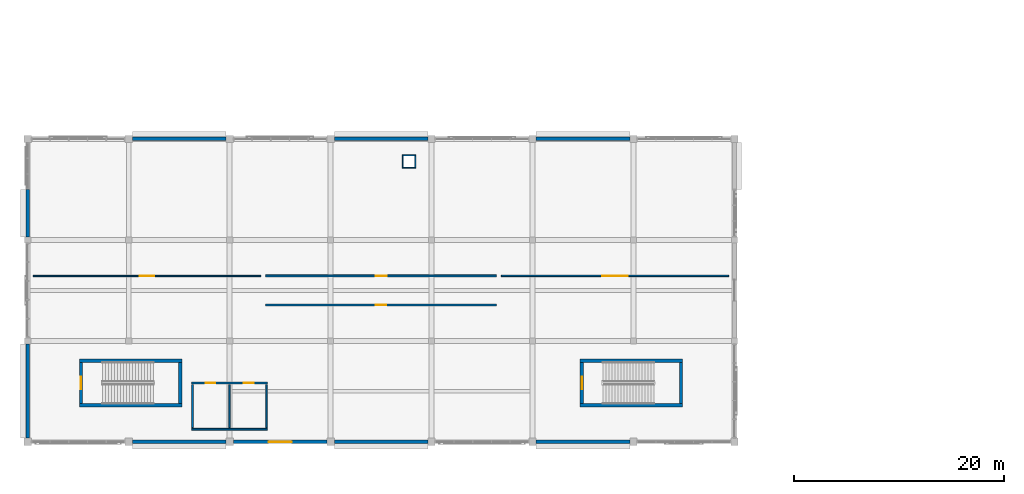
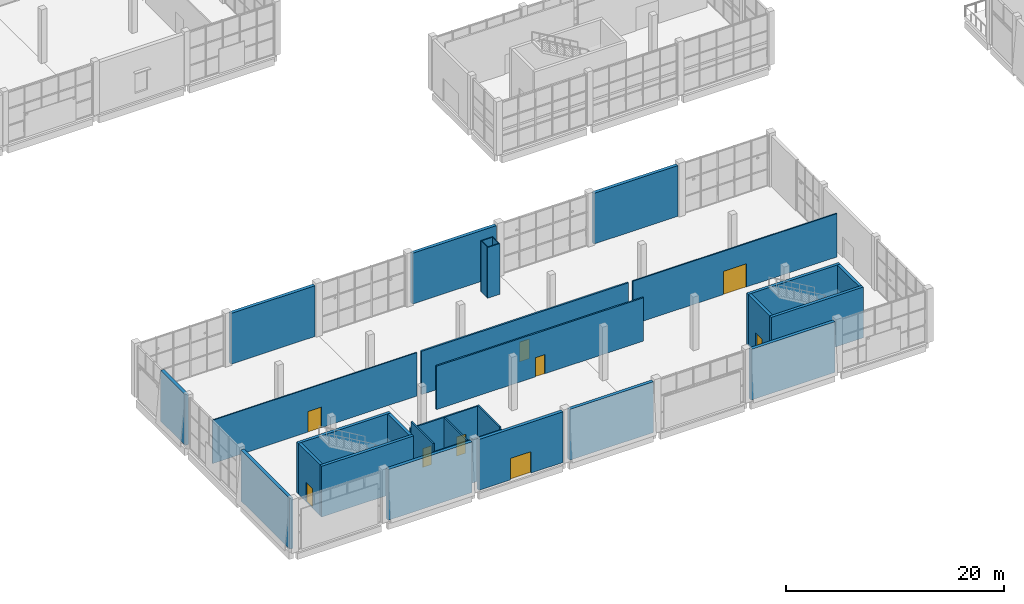
# One storey, part 53 of 84: 30 walls, 9 doors, 9 openings.
"""IFC4 building model written with IfcOpenShell, lengths in metres."""

from ifc_helpers import new_model, si_unit, direction, frame, frame_2d, origin, place, context, subcontext, project, spatial, rectangle, extrude, material, layer, layer_set, type_object, element, fill, save


model = new_model("IFC4")

# Units and contexts
model_context = context("Model", 3, precision=1e-05, world=origin(), true_north=direction((0.0, 1.0)))
body_context = subcontext(model_context, "Body", "Model", "MODEL_VIEW")
ifc_project = project(units=[si_unit("LENGTHUNIT", "METRE"), si_unit("AREAUNIT", "SQUARE_METRE"), si_unit("VOLUMEUNIT", "CUBIC_METRE"), si_unit("PLANEANGLEUNIT", "RADIAN"), si_unit("MASSUNIT", "GRAM", prefix="KILO")], contexts=[model_context])

# Site, building, storey
site_placement = place(None, origin())
site = spatial("IfcSite", under=ifc_project, at=site_placement, CompositionType="ELEMENT")
building_placement = place(site_placement, origin())
building = spatial("IfcBuilding", under=site, at=building_placement, Name="Shalvenor Court Art Gallery", CompositionType="ELEMENT")
storey_placement = place(building_placement, origin())
storey = spatial("IfcBuildingStorey", under=building, at=storey_placement, Name="L00", CompositionType="ELEMENT", Elevation=0.0)

# Walls
ifc_material_1 = material(Name="Concrete C40/50", Category="concrete")
ifc_layer_1 = layer(ifc_material_1, 0.31005859375, Name="Concrete C40/50")
ifc_layer_set_1 = layer_set([ifc_layer_1], Name="Concrete C40/50")
wall_type_1 = type_object("IfcWallType", Name="CW-W2", PredefinedType="SHEAR", material=ifc_layer_set_1)
wall_1_placement = place(storey_placement, frame((4.927978515625, 7.717041015625, 0.0), z_axis=(0.0, 0.0, 1.0), x_axis=(1.0, 0.0, 0.0)))
element("IfcWall", 1, at=wall_1_placement, inside=storey, type_object=wall_type_1, Name="L00 C7 Stair Core Shear Wall N", PredefinedType="SHEAR", context=body_context, shape_type="SweptSolid", body=[
    extrude(rectangle(XDim=9.744140625, YDim=0.31005859375, at=frame_2d((4.8720703125, 0.0))), origin(), (0.0, 0.0, 1.0), 5.679931640625),
])
wall_2_placement = place(storey_placement, frame((14.51708984375, 7.56201171875, 0.0), z_axis=(0.0, 0.0, 1.0), x_axis=(0.0, -1.0, 0.0)))
element("IfcWall", 2, at=wall_2_placement, inside=storey, type_object=wall_type_1, Name="L00 C7 Stair Core Shear Wall E", PredefinedType="SHEAR", context=body_context, shape_type="SweptSolid", body=[
    extrude(rectangle(XDim=3.924072265625, YDim=0.31005859375, at=frame_2d((1.9619140625, 0.0))), origin(), (0.0, 0.0, 1.0), 5.679931640625),
])
wall_3_placement = place(storey_placement, frame((14.672119140625, 3.48291015625, 0.0), z_axis=(0.0, 0.0, 1.0), x_axis=(-1.0, 0.0, 0.0)))
element("IfcWall", 3, at=wall_3_placement, inside=storey, type_object=wall_type_1, Name="L00 C7 Stair Core Shear Wall S", PredefinedType="SHEAR", context=body_context, shape_type="SweptSolid", body=[
    extrude(rectangle(XDim=9.744140625, YDim=0.31005859375, at=frame_2d((4.8720703125, 0.0))), origin(), (0.0, 0.0, 1.0), 5.679931640625),
])

# Wall, opening, door
wall_4_placement = place(storey_placement, frame((5.0830078125, 3.637939453125, 0.0), z_axis=(0.0, 0.0, 1.0), x_axis=(0.0, 1.0, 0.0)))
wall_4 = element("IfcWall", 4, at=wall_4_placement, inside=storey, type_object=wall_type_1, Name="L00 C7 Stair Core Shear Wall W", PredefinedType="SHEAR", context=body_context, shape_type="SweptSolid", body=[
    extrude(rectangle(XDim=3.924072265625, YDim=0.31005859375, at=frame_2d((1.9619140625, 0.0))), origin(), (0.0, 0.0, 1.0), 5.679931640625),
])
opening_1_placement = place(wall_4_placement, frame((1.362060546875, 0.0, 0.0)))
opening_1 = element("IfcOpeningElement", 5, at=opening_1_placement, cuts=wall_4, Name="Opening FD-01", PredefinedType="OPENING", context=body_context, shape_type="SweptSolid", body=[
    extrude(rectangle(XDim=1.199951171875, YDim=2.199951171875, at=frame_2d((0.60009765625, 1.10009765625))), frame((0.0, 0.1650390625, 0.0), z_axis=(0.0, -1.0, 0.0), x_axis=(1.0, 0.0, 0.0)), (0.0, 0.0, 1.0), 0.330078125),
])
ifc_material_2 = material(Name="Fire-rated steel stair doorset", Category="steel")
door_type_1 = type_object("IfcDoorType", Name="FD-01", OperationType="NOTDEFINED", PredefinedType="DOOR", material=ifc_material_2)
door_1_placement = place(opening_1_placement, origin())
door_1 = element("IfcDoor", 6, at=door_1_placement, inside=storey, type_object=door_type_1, Name="DR-ST-L00-C7 L00 ST-07 Fire Stair Door", OperationType="SINGLE_SWING_LEFT", OverallHeight=2.199951171875, OverallWidth=1.199951171875, PredefinedType="DOOR", context=body_context, shape_type="SweptSolid", body=[
    extrude(rectangle(XDim=1.199951171875, YDim=2.199951171875, at=frame_2d((0.60009765625, 1.10009765625))), frame((0.0, 0.02490234375, 0.0), z_axis=(0.0, -1.0, 0.0), x_axis=(1.0, 0.0, 0.0)), (0.0, 0.0, 1.0), 0.050048828125),
])
fill(opening_1, door_1)

# Walls
wall_5_placement = place(storey_placement, frame((52.528076171875, 7.717041015625, 0.0), z_axis=(0.0, 0.0, 1.0), x_axis=(1.0, 0.0, 0.0)))
element("IfcWall", 7, at=wall_5_placement, inside=storey, type_object=wall_type_1, Name="L00 C8 Stair Core Shear Wall N", PredefinedType="SHEAR", context=body_context, shape_type="SweptSolid", body=[
    extrude(rectangle(XDim=9.743896484375, YDim=0.31005859375, at=frame_2d((4.8720703125, 0.0))), origin(), (0.0, 0.0, 1.0), 5.679931640625),
])
wall_6_placement = place(storey_placement, frame((62.116943359375, 7.56201171875, 0.0), z_axis=(0.0, 0.0, 1.0), x_axis=(0.0, -1.0, 0.0)))
element("IfcWall", 8, at=wall_6_placement, inside=storey, type_object=wall_type_1, Name="L00 C8 Stair Core Shear Wall E", PredefinedType="SHEAR", context=body_context, shape_type="SweptSolid", body=[
    extrude(rectangle(XDim=3.924072265625, YDim=0.31005859375, at=frame_2d((1.9619140625, 0.0))), origin(), (0.0, 0.0, 1.0), 5.679931640625),
])
wall_7_placement = place(storey_placement, frame((62.27197265625, 3.48291015625, 0.0), z_axis=(0.0, 0.0, 1.0), x_axis=(-1.0, 0.0, 0.0)))
element("IfcWall", 9, at=wall_7_placement, inside=storey, type_object=wall_type_1, Name="L00 C8 Stair Core Shear Wall S", PredefinedType="SHEAR", context=body_context, shape_type="SweptSolid", body=[
    extrude(rectangle(XDim=9.743896484375, YDim=0.31005859375, at=frame_2d((4.8720703125, 0.0))), origin(), (0.0, 0.0, 1.0), 5.679931640625),
])

# Wall, opening, door
wall_8_placement = place(storey_placement, frame((52.68310546875, 3.637939453125, 0.0), z_axis=(0.0, 0.0, 1.0), x_axis=(0.0, 1.0, 0.0)))
wall_8 = element("IfcWall", 10, at=wall_8_placement, inside=storey, type_object=wall_type_1, Name="L00 C8 Stair Core Shear Wall W", PredefinedType="SHEAR", context=body_context, shape_type="SweptSolid", body=[
    extrude(rectangle(XDim=3.924072265625, YDim=0.31005859375, at=frame_2d((1.9619140625, 0.0))), origin(), (0.0, 0.0, 1.0), 5.679931640625),
])
opening_2_placement = place(wall_8_placement, frame((1.362060546875, 0.0, 0.0)))
opening_2 = element("IfcOpeningElement", 11, at=opening_2_placement, cuts=wall_8, Name="Opening FD-01", PredefinedType="OPENING", context=body_context, shape_type="SweptSolid", body=[
    extrude(rectangle(XDim=1.199951171875, YDim=2.199951171875, at=frame_2d((0.60009765625, 1.10009765625))), frame((0.0, 0.1650390625, 0.0), z_axis=(0.0, -1.0, 0.0), x_axis=(1.0, 0.0, 0.0)), (0.0, 0.0, 1.0), 0.330078125),
])
door_2_placement = place(opening_2_placement, origin())
door_2 = element("IfcDoor", 12, at=door_2_placement, inside=storey, type_object=door_type_1, Name="DR-ST-L00-C8 L00 ST-08 Fire Stair Door", OperationType="SINGLE_SWING_LEFT", OverallHeight=2.199951171875, OverallWidth=1.199951171875, PredefinedType="DOOR", context=body_context, shape_type="SweptSolid", body=[
    extrude(rectangle(XDim=1.199951171875, YDim=2.199951171875, at=frame_2d((0.60009765625, 1.10009765625))), frame((0.0, 0.02490234375, 0.0), z_axis=(0.0, -1.0, 0.0), x_axis=(1.0, 0.0, 0.0)), (0.0, 0.0, 1.0), 0.050048828125),
])
fill(opening_2, door_2)

# Walls
ifc_material_3 = material(Name="Concrete C40/50", Category="concrete")
ifc_layer_2 = layer(ifc_material_3, 0.340087890625, Name="Concrete C40/50")
ifc_layer_set_2 = layer_set([ifc_layer_2], Name="Concrete C40/50")
wall_type_2 = type_object("IfcWallType", Name="EW-04", PredefinedType="SOLIDWALL", material=ifc_layer_set_2)
for number, where, z_axis, x_axis, name in (
    (13, (9.949951171875, 28.800048828125, 0.0), (0.0, 0.0, 1.0), (1.0, 0.0, 0.0), "L00 V4 Exterior Wall WL-L00-0239"),
    (14, (29.14990234375, 28.800048828125, 0.0), (0.0, 0.0, 1.0), (1.0, 0.0, 0.0), "L00 V4 Exterior Wall WL-L00-0240"),
):
    element("IfcWall", number, at=place(storey_placement, frame(where, z_axis=z_axis, x_axis=x_axis)), inside=storey, type_object=wall_type_2, Name=name, PredefinedType="SOLIDWALL", context=body_context, shape_type="SweptSolid", body=[
        extrude(rectangle(XDim=8.900146484375, YDim=0.340087890625, at=frame_2d((4.4501953125, 0.0))), origin(), (0.0, 0.0, 1.0), 5.679931640625),
    ])
for number, where, z_axis, x_axis, name in (
    (15, (48.35009765625, 28.800048828125, 0.0), (0.0, 0.0, 1.0), (1.0, 0.0, 0.0), "L00 V4 Exterior Wall WL-L00-0241"),
    (16, (57.25, 0.0, 0.0), (0.0, 0.0, 1.0), (-1.0, 0.0, 0.0), "L00 V4 Exterior Wall WL-L00-0244"),
):
    element("IfcWall", number, at=place(storey_placement, frame(where, z_axis=z_axis, x_axis=x_axis)), inside=storey, type_object=wall_type_2, Name=name, PredefinedType="SOLIDWALL", context=body_context, shape_type="SweptSolid", body=[
        extrude(rectangle(XDim=8.89990234375, YDim=0.340087890625, at=frame_2d((4.449951171875, 0.0))), origin(), (0.0, 0.0, 1.0), 5.679931640625),
    ])
wall_9_placement = place(storey_placement, frame((38.050048828125, 0.0, 0.0), z_axis=(0.0, 0.0, 1.0), x_axis=(-1.0, 0.0, 0.0)))
element("IfcWall", 17, at=wall_9_placement, inside=storey, type_object=wall_type_2, Name="L00 V4 Exterior Wall WL-L00-0245", PredefinedType="SOLIDWALL", context=body_context, shape_type="SweptSolid", body=[
    extrude(rectangle(XDim=8.900146484375, YDim=0.340087890625, at=frame_2d((4.4501953125, 0.0))), origin(), (0.0, 0.0, 1.0), 5.679931640625),
])

# Wall, opening, door
wall_10_placement = place(storey_placement, frame((28.449951171875, 0.0, 0.0), z_axis=(0.0, 0.0, 1.0), x_axis=(-1.0, 0.0, 0.0)))
wall_10 = element("IfcWall", 18, at=wall_10_placement, inside=storey, type_object=wall_type_2, Name="L00 V4 Exterior Wall WL-L00-0246", PredefinedType="SOLIDWALL", context=body_context, shape_type="SweptSolid", body=[
    extrude(rectangle(XDim=8.89990234375, YDim=0.340087890625, at=frame_2d((4.449951171875, 0.0))), origin(), (0.0, 0.0, 1.0), 5.679931640625),
])
opening_3_placement = place(wall_10_placement, frame((3.35009765625, 0.0, 0.0)))
opening_3 = element("IfcOpeningElement", 19, at=opening_3_placement, cuts=wall_10, Name="Opening ED-04", PredefinedType="OPENING", context=body_context, shape_type="SweptSolid", body=[
    extrude(rectangle(XDim=2.199951171875, YDim=2.39990234375, at=frame_2d((1.10009765625, 1.199951171875))), frame((0.0, 0.179931640625, 0.0), z_axis=(0.0, -1.0, 0.0), x_axis=(1.0, 0.0, 0.0)), (0.0, 0.0, 1.0), 0.360107421875),
])
ifc_material_4 = material(Name="Anodised bronze glazed exit doorset", Category="aluminium")
door_type_2 = type_object("IfcDoorType", Name="ED-04", OperationType="NOTDEFINED", PredefinedType="DOOR", material=ifc_material_4)
door_3_placement = place(opening_3_placement, origin())
door_3 = element("IfcDoor", 20, at=door_3_placement, inside=storey, type_object=door_type_2, Name="DR-EX-19 L00 Pedestrian Final Exit Door", OperationType="DOUBLE_DOOR_SINGLE_SWING", OverallHeight=2.39990234375, OverallWidth=2.199951171875, PredefinedType="DOOR", context=body_context, shape_type="SweptSolid", body=[
    extrude(rectangle(XDim=2.199951171875, YDim=2.39990234375, at=frame_2d((1.10009765625, 1.199951171875))), frame((0.0, 0.02490234375, 0.0), z_axis=(0.0, -1.0, 0.0), x_axis=(1.0, 0.0, 0.0)), (0.0, 0.0, 1.0), 0.050048828125),
])
fill(opening_3, door_3)

# Walls
wall_11_placement = place(storey_placement, frame((18.85009765625, 0.0, 0.0), z_axis=(0.0, 0.0, 1.0), x_axis=(-1.0, 0.0, 0.0)))
element("IfcWall", 21, at=wall_11_placement, inside=storey, type_object=wall_type_2, Name="L00 V4 Exterior Wall WL-L00-0247", PredefinedType="SOLIDWALL", context=body_context, shape_type="SweptSolid", body=[
    extrude(rectangle(XDim=8.900146484375, YDim=0.340087890625, at=frame_2d((4.4501953125, 0.0))), origin(), (0.0, 0.0, 1.0), 5.679931640625),
])
wall_12_placement = place(storey_placement, frame((0.0, 0.35009765625, 0.0), z_axis=(0.0, 0.0, 1.0), x_axis=(0.0, 1.0, 0.0)))
element("IfcWall", 22, at=wall_12_placement, inside=storey, type_object=wall_type_2, Name="L00 V4 Exterior Wall WL-L00-0248", PredefinedType="SOLIDWALL", context=body_context, shape_type="SweptSolid", body=[
    extrude(rectangle(XDim=8.949951171875, YDim=0.340087890625, at=frame_2d((4.47509765625, 0.0))), origin(), (0.0, 0.0, 1.0), 5.679931640625),
])
wall_13_placement = place(storey_placement, frame((0.0, 19.5, 0.0), z_axis=(0.0, 0.0, 1.0), x_axis=(0.0, 1.0, 0.0)))
element("IfcWall", 23, at=wall_13_placement, inside=storey, type_object=wall_type_2, Name="L00 V4 Exterior Wall WL-L00-0249", PredefinedType="SOLIDWALL", context=body_context, shape_type="SweptSolid", body=[
    extrude(rectangle(XDim=4.5, YDim=0.340087890625, at=frame_2d((2.25, 0.0))), origin(), (0.0, 0.0, 1.0), 5.679931640625),
])

# Wall, opening, door
ifc_material_5 = material(Name="Plywood-backed acoustic art-hanging partition", Category="wood")
ifc_layer_3 = layer(ifc_material_5, 0.179931640625, Name="Plywood-backed acoustic art-hanging partition")
ifc_layer_set_3 = layer_set([ifc_layer_3], Name="Plywood-backed acoustic art-hanging partition")
wall_type_3 = type_object("IfcWallType", Name="PT-01", PredefinedType="PARTITIONING", material=ifc_layer_set_3)
wall_14_placement = place(storey_placement, frame((44.570068359375, 15.780029296875, 0.0), z_axis=(0.0, 0.0, 1.0), x_axis=(-1.0, 0.0, 0.0)))
wall_14 = element("IfcWall", 24, at=wall_14_placement, inside=storey, type_object=wall_type_3, Name="L00 Temporary Exhibition Pavilion Partition 609", PredefinedType="PARTITIONING", context=body_context, shape_type="SweptSolid", body=[
    extrude(rectangle(XDim=21.940185546875, YDim=0.179931640625, at=frame_2d((10.97021484375, 0.0))), origin(), (0.0, 0.0, 1.0), 4.85498046875),
])
opening_4_placement = place(wall_14_placement, frame((10.445068359375, 0.0, 0.0)))
opening_4 = element("IfcOpeningElement", 25, at=opening_4_placement, cuts=wall_14, Name="Opening ID-04", PredefinedType="OPENING", context=body_context, shape_type="SweptSolid", body=[
    extrude(rectangle(XDim=1.050048828125, YDim=2.199951171875, at=frame_2d((0.52490234375, 1.10009765625))), frame((0.0, 0.099853515625, 0.0), z_axis=(0.0, -1.0, 0.0), x_axis=(1.0, 0.0, 0.0)), (0.0, 0.0, 1.0), 0.199951171875),
])
ifc_material_6 = material(Name="Oak-veneered accessible room doorset", Category="wood")
door_type_3 = type_object("IfcDoorType", Name="ID-04", OperationType="NOTDEFINED", PredefinedType="DOOR", material=ifc_material_6)
door_4_placement = place(opening_4_placement, origin())
door_4 = element("IfcDoor", 26, at=door_4_placement, inside=storey, type_object=door_type_3, Name="DR-RM-L00-0140 L00 Temporary Exhibition Pavilion Door", OperationType="SINGLE_SWING_RIGHT", OverallHeight=2.199951171875, OverallWidth=1.050048828125, PredefinedType="DOOR", context=body_context, shape_type="SweptSolid", body=[
    extrude(rectangle(XDim=1.050048828125, YDim=2.199951171875, at=frame_2d((0.52490234375, 1.10009765625))), frame((0.0, 0.02490234375, 0.0), z_axis=(0.0, -1.0, 0.0), x_axis=(1.0, 0.0, 0.0)), (0.0, 0.0, 1.0), 0.050048828125),
])
fill(opening_4, door_4)

ifc_material_7 = material(Name="Double-stud acoustic gallery partition", Category="other")
ifc_layer_4 = layer(ifc_material_7, 0.1650390625, Name="Double-stud acoustic gallery partition")
ifc_layer_set_4 = layer_set([ifc_layer_4], Name="Double-stud acoustic gallery partition")
wall_type_4 = type_object("IfcWallType", Name="PT-02", PredefinedType="PARTITIONING", material=ifc_layer_set_4)
wall_15_placement = place(storey_placement, frame((22.6298828125, 13.02001953125, 0.0), z_axis=(0.0, 0.0, 1.0), x_axis=(1.0, 0.0, 0.0)))
wall_15 = element("IfcWall", 27, at=wall_15_placement, inside=storey, type_object=wall_type_4, Name="L00 Temporary Exhibition Pavilion Wing B Partition 610", PredefinedType="PARTITIONING", context=body_context, shape_type="SweptSolid", body=[
    extrude(rectangle(XDim=21.940185546875, YDim=0.1650390625, at=frame_2d((10.97021484375, 0.0))), origin(), (0.0, 0.0, 1.0), 4.85498046875),
])
opening_5_placement = place(wall_15_placement, frame((10.469970703125, 0.0, 0.0)))
opening_5 = element("IfcOpeningElement", 28, at=opening_5_placement, cuts=wall_15, Name="Opening ID-05", PredefinedType="OPENING", context=body_context, shape_type="SweptSolid", body=[
    extrude(rectangle(XDim=1.0, YDim=2.14990234375, at=frame_2d((0.5, 1.074951171875))), frame((0.0, 0.092529296875, 0.0), z_axis=(0.0, -1.0, 0.0), x_axis=(1.0, 0.0, 0.0)), (0.0, 0.0, 1.0), 0.18505859375),
])
ifc_material_8 = material(Name="Timber office single doorset", Category="wood")
door_type_4 = type_object("IfcDoorType", Name="ID-05", OperationType="NOTDEFINED", PredefinedType="DOOR", material=ifc_material_8)
door_5_placement = place(opening_5_placement, origin())
door_5 = element("IfcDoor", 29, at=door_5_placement, inside=storey, type_object=door_type_4, Name="DR-RM-L00-0141 L00 Temporary Exhibition Pavilion Wing B Door", OperationType="SINGLE_SWING_LEFT", OverallHeight=2.14990234375, OverallWidth=1.0, PredefinedType="DOOR", context=body_context, shape_type="SweptSolid", body=[
    extrude(rectangle(XDim=1.0, YDim=2.14990234375, at=frame_2d((0.5, 1.074951171875))), frame((0.0, 0.02490234375, 0.0), z_axis=(0.0, -1.0, 0.0), x_axis=(1.0, 0.0, 0.0)), (0.0, 0.0, 1.0), 0.050048828125),
])
fill(opening_5, door_5)

# Wall, openings, doors
ifc_material_9 = material(Name="Moisture-resistant sanitary partition", Category="other")
ifc_layer_5 = layer(ifc_material_9, 0.14990234375, Name="Moisture-resistant sanitary partition")
ifc_layer_set_5 = layer_set([ifc_layer_5], Name="Moisture-resistant sanitary partition")
wall_type_5 = type_object("IfcWallType", Name="PT-03", PredefinedType="PARTITIONING", material=ifc_layer_set_5)
wall_16_placement = place(storey_placement, frame((15.60009765625, 5.60009765625, 0.0), z_axis=(0.0, 0.0, 1.0), x_axis=(1.0, 0.0, 0.0)))
wall_16 = element("IfcWall", 30, at=wall_16_placement, inside=storey, type_object=wall_type_5, Name="L00 C7 Restroom Front Partition", PredefinedType="PARTITIONING", context=body_context, shape_type="SweptSolid", body=[
    extrude(rectangle(XDim=7.199951171875, YDim=0.14990234375, at=frame_2d((3.60009765625, 0.0))), origin(), (0.0, 0.0, 1.0), 4.85498046875),
])
opening_6_placement = place(wall_16_placement, frame((1.35009765625, 0.0, 0.0)))
opening_6 = element("IfcOpeningElement", 31, at=opening_6_placement, cuts=wall_16, Name="Opening ID-07", PredefinedType="OPENING", context=body_context, shape_type="SweptSolid", body=[
    extrude(rectangle(XDim=0.89990234375, YDim=2.10009765625, at=frame_2d((0.449951171875, 1.050048828125))), frame((0.0, 0.0849609375, 0.0), z_axis=(0.0, -1.0, 0.0), x_axis=(1.0, 0.0, 0.0)), (0.0, 0.0, 1.0), 0.169921875),
])
opening_7_placement = place(wall_16_placement, frame((4.925048828125, 0.0, 0.0)))
opening_7 = element("IfcOpeningElement", 32, at=opening_7_placement, cuts=wall_16, Name="Opening ID-06", PredefinedType="OPENING", context=body_context, shape_type="SweptSolid", body=[
    extrude(rectangle(XDim=0.949951171875, YDim=2.14990234375, at=frame_2d((0.47509765625, 1.074951171875))), frame((0.0, 0.0849609375, 0.0), z_axis=(0.0, -1.0, 0.0), x_axis=(1.0, 0.0, 0.0)), (0.0, 0.0, 1.0), 0.169921875),
])
ifc_material_10 = material(Name="Accessible restroom doorset", Category="steel")
door_type_5 = type_object("IfcDoorType", Name="ID-06", OperationType="NOTDEFINED", PredefinedType="DOOR", material=ifc_material_10)
door_6_placement = place(opening_7_placement, origin())
door_6 = element("IfcDoor", 33, at=door_6_placement, inside=storey, type_object=door_type_5, Name="DR-AWC-L00-C7-2 L00 C7 Accessible Restroom Door", OperationType="SINGLE_SWING_LEFT", OverallHeight=2.14990234375, OverallWidth=0.949951171875, PredefinedType="DOOR", context=body_context, shape_type="SweptSolid", body=[
    extrude(rectangle(XDim=0.949951171875, YDim=2.14990234375, at=frame_2d((0.47509765625, 1.074951171875))), frame((0.0, 0.02490234375, 0.0), z_axis=(0.0, -1.0, 0.0), x_axis=(1.0, 0.0, 0.0)), (0.0, 0.0, 1.0), 0.050048828125),
])
fill(opening_7, door_6)
ifc_material_11 = material(Name="Restroom timber doorset", Category="wood")
door_type_6 = type_object("IfcDoorType", Name="ID-07", OperationType="NOTDEFINED", PredefinedType="DOOR", material=ifc_material_11)
door_7_placement = place(opening_6_placement, origin())
door_7 = element("IfcDoor", 34, at=door_7_placement, inside=storey, type_object=door_type_6, Name="DR-WC-L00-C7-1 L00 C7 Public Restroom Door", OperationType="SINGLE_SWING_RIGHT", OverallHeight=2.10009765625, OverallWidth=0.89990234375, PredefinedType="DOOR", context=body_context, shape_type="SweptSolid", body=[
    extrude(rectangle(XDim=0.89990234375, YDim=2.10009765625, at=frame_2d((0.449951171875, 1.050048828125))), frame((0.0, 0.02490234375, 0.0), z_axis=(0.0, -1.0, 0.0), x_axis=(1.0, 0.0, 0.0)), (0.0, 0.0, 1.0), 0.050048828125),
])
fill(opening_6, door_7)

# Walls
wall_17_placement = place(storey_placement, frame((15.60009765625, 1.199951171875, 0.0), z_axis=(0.0, 0.0, 1.0), x_axis=(1.0, 0.0, 0.0)))
element("IfcWall", 35, at=wall_17_placement, inside=storey, type_object=wall_type_5, Name="L00 C7 Restroom Back Partition", PredefinedType="PARTITIONING", context=body_context, shape_type="SweptSolid", body=[
    extrude(rectangle(XDim=7.199951171875, YDim=0.14990234375, at=frame_2d((3.60009765625, 0.0))), origin(), (0.0, 0.0, 1.0), 4.85498046875),
])
wall_18_placement = place(storey_placement, frame((15.675048828125, 1.360107421875, 0.0), z_axis=(0.0, 0.0, 1.0), x_axis=(0.0, 1.0, 0.0)))
element("IfcWall", 36, at=wall_18_placement, inside=storey, type_object=wall_type_5, Name="L00 C7 Restroom Partition L", PredefinedType="PARTITIONING", context=body_context, shape_type="SweptSolid", body=[
    extrude(rectangle(XDim=4.079833984375, YDim=0.14990234375, at=frame_2d((2.0400390625, 0.0))), origin(), (0.0, 0.0, 1.0), 5.679931640625),
])
wall_19_placement = place(storey_placement, frame((19.199951171875, 1.360107421875, 0.0), z_axis=(0.0, 0.0, 1.0), x_axis=(0.0, 1.0, 0.0)))
element("IfcWall", 37, at=wall_19_placement, inside=storey, type_object=wall_type_5, Name="L00 C7 Restroom Partition M", PredefinedType="PARTITIONING", context=body_context, shape_type="SweptSolid", body=[
    extrude(rectangle(XDim=4.079833984375, YDim=0.14990234375, at=frame_2d((2.0400390625, 0.0))), origin(), (0.0, 0.0, 1.0), 4.85498046875),
])
wall_20_placement = place(storey_placement, frame((22.72509765625, 1.360107421875, 0.0), z_axis=(0.0, 0.0, 1.0), x_axis=(0.0, 1.0, 0.0)))
element("IfcWall", 38, at=wall_20_placement, inside=storey, type_object=wall_type_5, Name="L00 C7 Restroom Partition R", PredefinedType="PARTITIONING", context=body_context, shape_type="SweptSolid", body=[
    extrude(rectangle(XDim=4.079833984375, YDim=0.14990234375, at=frame_2d((2.0400390625, 0.0))), origin(), (0.0, 0.0, 1.0), 5.054931640625),
])

# Wall, opening, door
ifc_material_12 = material(Name="Insulated studio acoustic partition", Category="other")
ifc_layer_6 = layer(ifc_material_12, 0.135009765625, Name="Insulated studio acoustic partition")
ifc_layer_set_6 = layer_set([ifc_layer_6], Name="Insulated studio acoustic partition")
wall_type_6 = type_object("IfcWallType", Name="PT-04", PredefinedType="PARTITIONING", material=ifc_layer_set_6)
wall_21_placement = place(storey_placement, frame((66.64990234375, 15.780029296875, 0.0), z_axis=(0.0, 0.0, 1.0), x_axis=(-1.0, 0.0, 0.0)))
wall_21 = element("IfcWall", 39, at=wall_21_placement, inside=storey, type_object=wall_type_6, Name="L00 Auditorium Foyer Salon Partition 611", PredefinedType="PARTITIONING", context=body_context, shape_type="SweptSolid", body=[
    extrude(rectangle(XDim=21.619873046875, YDim=0.135009765625, at=frame_2d((10.81005859375, 0.0))), origin(), (0.0, 0.0, 1.0), 4.85498046875),
])
opening_8_placement = place(wall_21_placement, frame((9.610107421875, 0.0, 0.0)))
opening_8 = element("IfcOpeningElement", 40, at=opening_8_placement, cuts=wall_21, Name="Opening ID-08", PredefinedType="OPENING", context=body_context, shape_type="SweptSolid", body=[
    extrude(rectangle(XDim=2.39990234375, YDim=2.60009765625, at=frame_2d((1.199951171875, 1.300048828125))), frame((0.0, 0.077392578125, 0.0), z_axis=(0.0, -1.0, 0.0), x_axis=(1.0, 0.0, 0.0)), (0.0, 0.0, 1.0), 0.155029296875),
])
ifc_material_13 = material(Name="Oversized crate gallery portal double doorset", Category="steel")
door_type_7 = type_object("IfcDoorType", Name="ID-08", OperationType="NOTDEFINED", PredefinedType="DOOR", material=ifc_material_13)
door_8_placement = place(opening_8_placement, origin())
door_8 = element("IfcDoor", 41, at=door_8_placement, inside=storey, type_object=door_type_7, Name="DR-RM-L00-0142 L00 Auditorium Foyer Salon Door", OperationType="DOUBLE_DOOR_SINGLE_SWING", OverallHeight=2.60009765625, OverallWidth=2.39990234375, PredefinedType="DOOR", context=body_context, shape_type="SweptSolid", body=[
    extrude(rectangle(XDim=2.39990234375, YDim=2.60009765625, at=frame_2d((1.199951171875, 1.300048828125))), frame((0.0, 0.02490234375, 0.0), z_axis=(0.0, -1.0, 0.0), x_axis=(1.0, 0.0, 0.0)), (0.0, 0.0, 1.0), 0.050048828125),
])
fill(opening_8, door_8)

ifc_material_14 = material(Name="Lightweight office gypsum partition", Category="other")
ifc_layer_7 = layer(ifc_material_14, 0.1201171875, Name="Lightweight office gypsum partition")
ifc_layer_set_7 = layer_set([ifc_layer_7], Name="Lightweight office gypsum partition")
wall_type_7 = type_object("IfcWallType", Name="PT-05", PredefinedType="PARTITIONING", material=ifc_layer_set_7)
wall_22_placement = place(storey_placement, frame((22.169921875, 15.780029296875, 0.0), z_axis=(0.0, 0.0, 1.0), x_axis=(-1.0, 0.0, 0.0)))
wall_22 = element("IfcWall", 42, at=wall_22_placement, inside=storey, type_object=wall_type_7, Name="L00 Museum Auditorium Partition 608", PredefinedType="PARTITIONING", context=body_context, shape_type="SweptSolid", body=[
    extrude(rectangle(XDim=21.619873046875, YDim=0.1201171875, at=frame_2d((10.81005859375, 0.0))), origin(), (0.0, 0.0, 1.0), 4.85498046875),
])
opening_9_placement = place(wall_22_placement, frame((10.110107421875, 0.0, 0.0)))
opening_9 = element("IfcOpeningElement", 43, at=opening_9_placement, cuts=wall_22, Name="Opening ID-03", PredefinedType="OPENING", context=body_context, shape_type="SweptSolid", body=[
    extrude(rectangle(XDim=1.39990234375, YDim=2.300048828125, at=frame_2d((0.699951171875, 1.14990234375))), frame((0.0, 0.070068359375, 0.0), z_axis=(0.0, -1.0, 0.0), x_axis=(1.0, 0.0, 0.0)), (0.0, 0.0, 1.0), 0.14013671875),
])
ifc_material_15 = material(Name="Timber studio double leaf doorset", Category="wood")
door_type_8 = type_object("IfcDoorType", Name="ID-03", OperationType="NOTDEFINED", PredefinedType="DOOR", material=ifc_material_15)
door_9_placement = place(opening_9_placement, origin())
door_9 = element("IfcDoor", 44, at=door_9_placement, inside=storey, type_object=door_type_8, Name="DR-RM-L00-0139 L00 Museum Auditorium Door", OperationType="DOUBLE_DOOR_SINGLE_SWING", OverallHeight=2.300048828125, OverallWidth=1.39990234375, PredefinedType="DOOR", context=body_context, shape_type="SweptSolid", body=[
    extrude(rectangle(XDim=1.39990234375, YDim=2.300048828125, at=frame_2d((0.699951171875, 1.14990234375))), frame((0.0, 0.02490234375, 0.0), z_axis=(0.0, -1.0, 0.0), x_axis=(1.0, 0.0, 0.0)), (0.0, 0.0, 1.0), 0.050048828125),
])
fill(opening_9, door_9)

# Walls
ifc_material_16 = material(Name="Service riser shaft gypsum partition", Category="other")
ifc_layer_8 = layer(ifc_material_16, 0.10009765625, Name="Service riser shaft gypsum partition")
ifc_layer_set_8 = layer_set([ifc_layer_8], Name="Service riser shaft gypsum partition")
wall_type_8 = type_object("IfcWallType", Name="PT-06", PredefinedType="PARTITIONING", material=ifc_layer_set_8)
for number, where, z_axis, x_axis, name in (
    (45, (35.60009765625, 27.25, 0.0), (0.0, 0.0, 1.0), (1.0, 0.0, 0.0), "L00 Riser Shaft Wall 3.N"),
    (46, (36.89990234375, 26.050048828125, 0.0), (0.0, 0.0, 1.0), (-1.0, 0.0, 0.0), "L00 Riser Shaft Wall 3.S"),
):
    element("IfcWall", number, at=place(storey_placement, frame(where, z_axis=z_axis, x_axis=x_axis)), inside=storey, type_object=wall_type_8, Name=name, PredefinedType="PARTITIONING", context=body_context, shape_type="SweptSolid", body=[
        extrude(rectangle(XDim=1.2998046875, YDim=0.10009765625, at=frame_2d((0.64990234375, 0.0))), origin(), (0.0, 0.0, 1.0), 5.679931640625),
    ])
for number, where, z_axis, x_axis, name in (
    (47, (35.64990234375, 26.10009765625, 0.0), (0.0, 0.0, 1.0), (0.0, 1.0, 0.0), "L00 Riser Shaft Wall 3.W"),
    (48, (36.85009765625, 27.199951171875, 0.0), (0.0, 0.0, 1.0), (0.0, -1.0, 0.0), "L00 Riser Shaft Wall 3.E"),
):
    element("IfcWall", number, at=place(storey_placement, frame(where, z_axis=z_axis, x_axis=x_axis)), inside=storey, type_object=wall_type_8, Name=name, PredefinedType="PARTITIONING", context=body_context, shape_type="SweptSolid", body=[
        extrude(rectangle(XDim=1.099853515625, YDim=0.10009765625, at=frame_2d((0.5498046875, 0.0))), origin(), (0.0, 0.0, 1.0), 5.679931640625),
    ])

save(model, "model.ifc")
